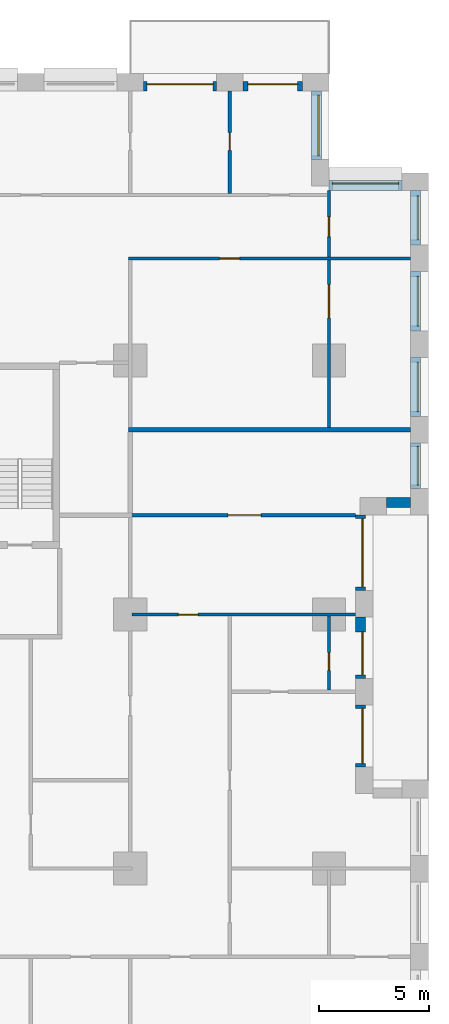
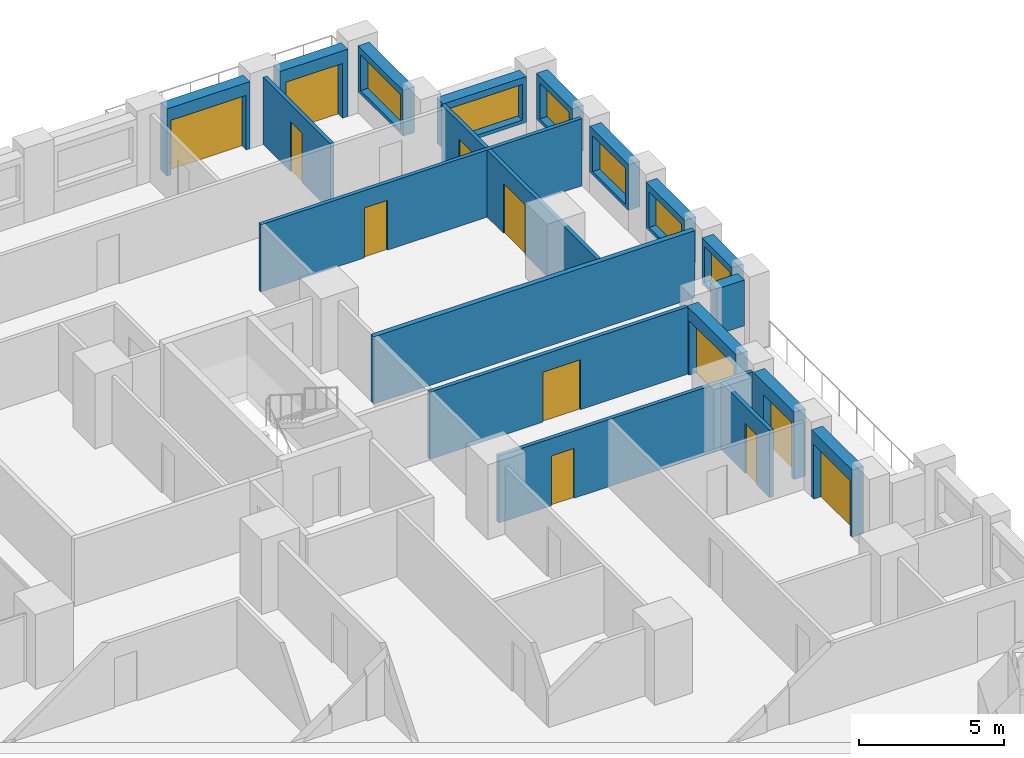
# One storey, part 17 of 20: 20 walls, 12 doors, 6 windows, 18 openings.
"""IFC4 building model written with IfcOpenShell, lengths in metres."""

from ifc_helpers import new_model, si_unit, direction, frame, frame_2d, origin, place, context, subcontext, project, spatial, rectangle, extrude, material, layer, layer_set, type_object, element, fill, save


model = new_model("IFC4")

# Units and contexts
model_context = context("Model", 3, precision=1e-05, world=origin(), true_north=direction((0.0, 1.0)))
body_context = subcontext(model_context, "Body", "Model", "MODEL_VIEW")
ifc_project = project(units=[si_unit("LENGTHUNIT", "METRE"), si_unit("AREAUNIT", "SQUARE_METRE"), si_unit("VOLUMEUNIT", "CUBIC_METRE"), si_unit("PLANEANGLEUNIT", "RADIAN"), si_unit("MASSUNIT", "GRAM", prefix="KILO")], contexts=[model_context])

# Site, building, storey
site_placement = place(None, origin())
site = spatial("IfcSite", under=ifc_project, at=site_placement, CompositionType="ELEMENT")
building_placement = place(site_placement, origin())
building = spatial("IfcBuilding", under=site, at=building_placement, Name="Brigalow Station Residences", CompositionType="ELEMENT")
storey_placement = place(building_placement, frame((0.0, 0.0, 66.75)))
storey = spatial("IfcBuildingStorey", under=building, at=storey_placement, Name="L19", CompositionType="ELEMENT", Elevation=66.75)

# Wall, opening, door
ifc_material_1 = material(Name="Clay brick masonry", Category="masonry")
ifc_layer_1 = layer(ifc_material_1, 0.449951171875)
ifc_layer_set_1 = layer_set([ifc_layer_1], Name="BRICK INFILL WALL 450")
wall_type_1 = type_object("IfcWallType", Name="BRICK INFILL WALL 450", PredefinedType="SOLIDWALL", material=ifc_layer_set_1)
wall_1_placement = place(storey_placement, frame((73.425048828125, 17.10009765625, 0.0), z_axis=(0.0, 0.0, 1.0), x_axis=(0.0, 1.0, 0.0)))
wall_1 = element("IfcWall", 1, at=wall_1_placement, inside=storey, type_object=wall_type_1, Name="L19/ewall/W-L19-15", PredefinedType="SOLIDWALL", context=body_context, shape_type="SweptSolid", body=[
    extrude(rectangle(XDim=2.7998046875, YDim=0.449951171875, at=frame_2d((1.39990234375, 0.0))), origin(), (0.0, 0.0, 1.0), 2.830078125),
])
opening_1_placement = place(wall_1_placement, frame((0.14990234375, 0.0, 0.0)))
opening_1 = element("IfcOpeningElement", 2, at=opening_1_placement, cuts=wall_1, Name="Opening D-B2500", PredefinedType="OPENING", context=body_context, shape_type="SweptSolid", body=[
    extrude(rectangle(XDim=2.5, YDim=2.300048828125, at=frame_2d((1.25, 1.14990234375))), frame((0.0, 0.23486328125, 0.0), z_axis=(0.0, -1.0, 0.0), x_axis=(1.0, 0.0, 0.0)), (0.0, 0.0, 1.0), 0.469970703125),
])
ifc_material_2 = material(Name="Anodised aluminium frame with double glazing", Category="aluminium")
door_type_1 = type_object("IfcDoorType", Name="BALCONY SLIDING DOOR 2500x2300", OperationType="SLIDING_TO_LEFT", PredefinedType="DOOR", material=ifc_material_2)
door_1_placement = place(opening_1_placement, origin())
door_1 = element("IfcDoor", 3, at=door_1_placement, inside=storey, type_object=door_type_1, Name="L19/balcony-door/W-L19-15", OperationType="SLIDING_TO_LEFT", OverallHeight=2.300048828125, OverallWidth=2.5, PredefinedType="DOOR", context=body_context, shape_type="SweptSolid", body=[
    extrude(rectangle(XDim=2.5, YDim=2.300048828125, at=frame_2d((1.25, 1.14990234375))), frame((0.0, -0.06982421875, 0.0), z_axis=(0.0, -1.0, 0.0), x_axis=(1.0, 0.0, 0.0)), (0.0, 0.0, 1.0), 0.050048828125),
])
fill(opening_1, door_1)

wall_2_placement = place(storey_placement, frame((73.425048828125, 21.10009765625, 0.0), z_axis=(0.0, 0.0, 1.0), x_axis=(0.0, 1.0, 0.0)))
wall_2 = element("IfcWall", 4, at=wall_2_placement, inside=storey, type_object=wall_type_1, Name="L19/ewall/W-L19-16", PredefinedType="SOLIDWALL", context=body_context, shape_type="SweptSolid", body=[
    extrude(rectangle(XDim=2.7998046875, YDim=0.449951171875, at=frame_2d((1.39990234375, 0.0))), origin(), (0.0, 0.0, 1.0), 2.830078125),
])
opening_2_placement = place(wall_2_placement, frame((0.1650390625, 0.0, 0.0)))
opening_2 = element("IfcOpeningElement", 5, at=opening_2_placement, cuts=wall_2, Name="Opening D-B1950", PredefinedType="OPENING", context=body_context, shape_type="SweptSolid", body=[
    extrude(rectangle(XDim=1.949951171875, YDim=2.300048828125, at=frame_2d((0.97509765625, 1.14990234375))), frame((0.0, 0.23486328125, 0.0), z_axis=(0.0, -1.0, 0.0), x_axis=(1.0, 0.0, 0.0)), (0.0, 0.0, 1.0), 0.469970703125),
])
ifc_material_3 = material(Name="Anodised aluminium frame with double glazing", Category="aluminium")
door_type_2 = type_object("IfcDoorType", Name="BALCONY SLIDING DOOR 1950x2300", OperationType="SLIDING_TO_LEFT", PredefinedType="DOOR", material=ifc_material_3)
door_2_placement = place(opening_2_placement, origin())
door_2 = element("IfcDoor", 6, at=door_2_placement, inside=storey, type_object=door_type_2, Name="L19/balcony-door/W-L19-16", OperationType="SLIDING_TO_LEFT", OverallHeight=2.300048828125, OverallWidth=1.949951171875, PredefinedType="DOOR", context=body_context, shape_type="SweptSolid", body=[
    extrude(rectangle(XDim=1.949951171875, YDim=2.300048828125, at=frame_2d((0.97509765625, 1.14990234375))), frame((0.0, -0.06982421875, 0.0), z_axis=(0.0, -1.0, 0.0), x_axis=(1.0, 0.0, 0.0)), (0.0, 0.0, 1.0), 0.050048828125),
])
fill(opening_2, door_2)

wall_3_placement = place(storey_placement, frame((73.425048828125, 25.10009765625, 0.0), z_axis=(0.0, 0.0, 1.0), x_axis=(0.0, 1.0, 0.0)))
wall_3 = element("IfcWall", 7, at=wall_3_placement, inside=storey, type_object=wall_type_1, Name="L19/ewall/W-L19-17", PredefinedType="SOLIDWALL", context=body_context, shape_type="SweptSolid", body=[
    extrude(rectangle(XDim=3.39990234375, YDim=0.449951171875, at=frame_2d((1.699951171875, 0.0))), origin(), (0.0, 0.0, 1.0), 2.830078125),
])
opening_3_placement = place(wall_3_placement, frame((0.14990234375, 0.0, 0.0)))
opening_3 = element("IfcOpeningElement", 8, at=opening_3_placement, cuts=wall_3, Name="Opening D-B3100", PredefinedType="OPENING", context=body_context, shape_type="SweptSolid", body=[
    extrude(rectangle(XDim=3.10009765625, YDim=2.300048828125, at=frame_2d((1.550048828125, 1.14990234375))), frame((0.0, 0.23486328125, 0.0), z_axis=(0.0, -1.0, 0.0), x_axis=(1.0, 0.0, 0.0)), (0.0, 0.0, 1.0), 0.469970703125),
])
ifc_material_4 = material(Name="Anodised aluminium frame with double glazing", Category="aluminium")
door_type_3 = type_object("IfcDoorType", Name="BALCONY SLIDING DOOR 3100x2300", OperationType="SLIDING_TO_LEFT", PredefinedType="DOOR", material=ifc_material_4)
door_3_placement = place(opening_3_placement, origin())
door_3 = element("IfcDoor", 9, at=door_3_placement, inside=storey, type_object=door_type_3, Name="L19/balcony-door/W-L19-17", OperationType="SLIDING_TO_LEFT", OverallHeight=2.300048828125, OverallWidth=3.10009765625, PredefinedType="DOOR", context=body_context, shape_type="SweptSolid", body=[
    extrude(rectangle(XDim=3.10009765625, YDim=2.300048828125, at=frame_2d((1.550048828125, 1.14990234375))), frame((0.0, -0.06982421875, 0.0), z_axis=(0.0, -1.0, 0.0), x_axis=(1.0, 0.0, 0.0)), (0.0, 0.0, 1.0), 0.050048828125),
])
fill(opening_3, door_3)

# Wall
wall_4_placement = place(storey_placement, frame((74.60009765625, 29.074951171875, 0.89990234375), z_axis=(0.0, 0.0, 1.0), x_axis=(1.0, 0.0, 0.0)))
element("IfcWall", 10, at=wall_4_placement, inside=storey, type_object=wall_type_1, Name="L19/ewall/W-L19-18", PredefinedType="SOLIDWALL", context=body_context, shape_type="SweptSolid", body=[
    extrude(rectangle(XDim=1.099853515625, YDim=0.449951171875, at=frame_2d((0.5498046875, 0.0))), origin(), (0.0, 0.0, 1.0), 1.93017578125),
])

# Wall, opening, window
wall_5_placement = place(storey_placement, frame((75.925048828125, 29.699951171875, 0.89990234375), z_axis=(0.0, 0.0, 1.0), x_axis=(0.0, 1.0, 0.0)))
wall_5 = element("IfcWall", 11, at=wall_5_placement, inside=storey, type_object=wall_type_1, Name="L19/ewall/W-L19-19", PredefinedType="SOLIDWALL", context=body_context, shape_type="SweptSolid", body=[
    extrude(rectangle(XDim=2.074951171875, YDim=0.449951171875, at=frame_2d((1.03759765625, 0.0))), origin(), (0.0, 0.0, 1.0), 1.93017578125),
])
opening_4_placement = place(wall_5_placement, frame((0.16259765625, 0.0, 0.14990234375)))
opening_4 = element("IfcOpeningElement", 12, at=opening_4_placement, cuts=wall_5, Name="Opening WT-4", PredefinedType="OPENING", context=body_context, shape_type="SweptSolid", body=[
    extrude(rectangle(XDim=1.75, YDim=1.5, at=frame_2d((0.875, 0.75))), frame((0.0, 0.23486328125, 0.0), z_axis=(0.0, -1.0, 0.0), x_axis=(1.0, 0.0, 0.0)), (0.0, 0.0, 1.0), 0.469970703125),
])
ifc_material_5 = material(Name="Anodised aluminium frame with double glazing", Category="aluminium")
window_type_1 = type_object("IfcWindowType", Name="WINDOW 1750x1500", PartitioningType="SINGLE_PANEL", PredefinedType="WINDOW", material=ifc_material_5)
window_1_placement = place(opening_4_placement, origin())
window_1 = element("IfcWindow", 13, at=window_1_placement, inside=storey, type_object=window_type_1, Name="L19/window/W-L19-19", OverallHeight=1.5, OverallWidth=1.75, PartitioningType="SINGLE_PANEL", PredefinedType="WINDOW", context=body_context, shape_type="SweptSolid", body=[
    extrude(rectangle(XDim=1.75, YDim=1.5, at=frame_2d((0.875, 0.75))), frame((0.0, -0.06494140625, 0.0), z_axis=(0.0, -1.0, 0.0), x_axis=(1.0, 0.0, 0.0)), (0.0, 0.0, 1.0), 0.06005859375),
])
fill(opening_4, window_1)

wall_6_placement = place(storey_placement, frame((75.925048828125, 32.97509765625, 0.89990234375), z_axis=(0.0, 0.0, 1.0), x_axis=(0.0, 1.0, 0.0)))
wall_6 = element("IfcWall", 14, at=wall_6_placement, inside=storey, type_object=wall_type_1, Name="L19/ewall/W-L19-20", PredefinedType="SOLIDWALL", context=body_context, shape_type="SweptSolid", body=[
    extrude(rectangle(XDim=2.6748046875, YDim=0.449951171875, at=frame_2d((1.33740234375, 0.0))), origin(), (0.0, 0.0, 1.0), 1.93017578125),
])
opening_5_placement = place(wall_6_placement, frame((0.21240234375, 0.0, 0.14990234375)))
opening_5 = element("IfcOpeningElement", 15, at=opening_5_placement, cuts=wall_6, Name="Opening WT-6", PredefinedType="OPENING", context=body_context, shape_type="SweptSolid", body=[
    extrude(rectangle(XDim=2.25, YDim=1.5, at=frame_2d((1.125, 0.75))), frame((0.0, 0.23486328125, 0.0), z_axis=(0.0, -1.0, 0.0), x_axis=(1.0, 0.0, 0.0)), (0.0, 0.0, 1.0), 0.469970703125),
])
ifc_material_6 = material(Name="Anodised aluminium frame with double glazing", Category="aluminium")
window_type_2 = type_object("IfcWindowType", Name="WINDOW 2250x1500", PartitioningType="SINGLE_PANEL", PredefinedType="WINDOW", material=ifc_material_6)
window_2_placement = place(opening_5_placement, origin())
window_2 = element("IfcWindow", 16, at=window_2_placement, inside=storey, type_object=window_type_2, Name="L19/window/W-L19-20", OverallHeight=1.5, OverallWidth=2.25, PartitioningType="SINGLE_PANEL", PredefinedType="WINDOW", context=body_context, shape_type="SweptSolid", body=[
    extrude(rectangle(XDim=2.25, YDim=1.5, at=frame_2d((1.125, 0.75))), frame((0.0, -0.06494140625, 0.0), z_axis=(0.0, -1.0, 0.0), x_axis=(1.0, 0.0, 0.0)), (0.0, 0.0, 1.0), 0.06005859375),
])
fill(opening_5, window_2)

wall_7_placement = place(storey_placement, frame((75.925048828125, 36.85009765625, 0.89990234375), z_axis=(0.0, 0.0, 1.0), x_axis=(0.0, 1.0, 0.0)))
wall_7 = element("IfcWall", 17, at=wall_7_placement, inside=storey, type_object=wall_type_1, Name="L19/ewall/W-L19-21", PredefinedType="SOLIDWALL", context=body_context, shape_type="SweptSolid", body=[
    extrude(rectangle(XDim=2.6748046875, YDim=0.449951171875, at=frame_2d((1.33740234375, 0.0))), origin(), (0.0, 0.0, 1.0), 1.93017578125),
])
opening_6_placement = place(wall_7_placement, frame((0.21240234375, 0.0, 0.14990234375)))
opening_6 = element("IfcOpeningElement", 18, at=opening_6_placement, cuts=wall_7, Name="Opening WT-6", PredefinedType="OPENING", context=body_context, shape_type="SweptSolid", body=[
    extrude(rectangle(XDim=2.25, YDim=1.5, at=frame_2d((1.125, 0.75))), frame((0.0, 0.23486328125, 0.0), z_axis=(0.0, -1.0, 0.0), x_axis=(1.0, 0.0, 0.0)), (0.0, 0.0, 1.0), 0.469970703125),
])
window_3_placement = place(opening_6_placement, origin())
window_3 = element("IfcWindow", 19, at=window_3_placement, inside=storey, type_object=window_type_2, Name="L19/window/W-L19-21", OverallHeight=1.5, OverallWidth=2.25, PartitioningType="SINGLE_PANEL", PredefinedType="WINDOW", context=body_context, shape_type="SweptSolid", body=[
    extrude(rectangle(XDim=2.25, YDim=1.5, at=frame_2d((1.125, 0.75))), frame((0.0, -0.06494140625, 0.0), z_axis=(0.0, -1.0, 0.0), x_axis=(1.0, 0.0, 0.0)), (0.0, 0.0, 1.0), 0.06005859375),
])
fill(opening_6, window_3)

wall_8_placement = place(storey_placement, frame((75.925048828125, 40.72509765625, 0.89990234375), z_axis=(0.0, 0.0, 1.0), x_axis=(0.0, 1.0, 0.0)))
wall_8 = element("IfcWall", 20, at=wall_8_placement, inside=storey, type_object=wall_type_1, Name="L19/ewall/W-L19-22", PredefinedType="SOLIDWALL", context=body_context, shape_type="SweptSolid", body=[
    extrude(rectangle(XDim=2.474853515625, YDim=0.449951171875, at=frame_2d((1.2373046875, 0.0))), origin(), (0.0, 0.0, 1.0), 1.93017578125),
])
opening_7_placement = place(wall_8_placement, frame((0.237548828125, 0.0, 0.14990234375)))
opening_7 = element("IfcOpeningElement", 21, at=opening_7_placement, cuts=wall_8, Name="Opening WT-7", PredefinedType="OPENING", context=body_context, shape_type="SweptSolid", body=[
    extrude(rectangle(XDim=2.0, YDim=1.5, at=frame_2d((1.0, 0.75))), frame((0.0, 0.23486328125, 0.0), z_axis=(0.0, -1.0, 0.0), x_axis=(1.0, 0.0, 0.0)), (0.0, 0.0, 1.0), 0.469970703125),
])
ifc_material_7 = material(Name="Anodised aluminium frame with double glazing", Category="aluminium")
window_type_3 = type_object("IfcWindowType", Name="WINDOW 2000x1500", PartitioningType="SINGLE_PANEL", PredefinedType="WINDOW", material=ifc_material_7)
window_4_placement = place(opening_7_placement, origin())
window_4 = element("IfcWindow", 22, at=window_4_placement, inside=storey, type_object=window_type_3, Name="L19/window/W-L19-22", OverallHeight=1.5, OverallWidth=2.0, PartitioningType="SINGLE_PANEL", PredefinedType="WINDOW", context=body_context, shape_type="SweptSolid", body=[
    extrude(rectangle(XDim=2.0, YDim=1.5, at=frame_2d((1.0, 0.75))), frame((0.0, -0.06494140625, 0.0), z_axis=(0.0, -1.0, 0.0), x_axis=(1.0, 0.0, 0.0)), (0.0, 0.0, 1.0), 0.06005859375),
])
fill(opening_7, window_4)

wall_9_placement = place(storey_placement, frame((75.300048828125, 43.425048828125, 0.89990234375), z_axis=(0.0, 0.0, 1.0), x_axis=(-1.0, 0.0, 0.0)))
wall_9 = element("IfcWall", 23, at=wall_9_placement, inside=storey, type_object=wall_type_1, Name="L19/ewall/W-L19-23", PredefinedType="SOLIDWALL", context=body_context, shape_type="SweptSolid", body=[
    extrude(rectangle(XDim=3.300048828125, YDim=0.449951171875, at=frame_2d((1.64990234375, 0.0))), origin(), (0.0, 0.0, 1.0), 1.93017578125),
])
opening_8_placement = place(wall_9_placement, frame((0.14990234375, 0.0, 0.14990234375)))
opening_8 = element("IfcOpeningElement", 24, at=opening_8_placement, cuts=wall_9, Name="Opening WT-2", PredefinedType="OPENING", context=body_context, shape_type="SweptSolid", body=[
    extrude(rectangle(XDim=3.0, YDim=1.5, at=frame_2d((1.5, 0.75))), frame((0.0, 0.23486328125, 0.0), z_axis=(0.0, -1.0, 0.0), x_axis=(1.0, 0.0, 0.0)), (0.0, 0.0, 1.0), 0.469970703125),
])
ifc_material_8 = material(Name="Anodised aluminium frame with double glazing", Category="aluminium")
window_type_4 = type_object("IfcWindowType", Name="WINDOW 3000x1500", PartitioningType="SINGLE_PANEL", PredefinedType="WINDOW", material=ifc_material_8)
window_5_placement = place(opening_8_placement, origin())
window_5 = element("IfcWindow", 25, at=window_5_placement, inside=storey, type_object=window_type_4, Name="L19/window/W-L19-23", OverallHeight=1.5, OverallWidth=3.0, PartitioningType="SINGLE_PANEL", PredefinedType="WINDOW", context=body_context, shape_type="SweptSolid", body=[
    extrude(rectangle(XDim=3.0, YDim=1.5, at=frame_2d((1.5, 0.75))), frame((0.0, -0.06494140625, 0.0), z_axis=(0.0, -1.0, 0.0), x_axis=(1.0, 0.0, 0.0)), (0.0, 0.0, 1.0), 0.06005859375),
])
fill(opening_8, window_5)

wall_10_placement = place(storey_placement, frame((71.425048828125, 44.60009765625, 0.89990234375), z_axis=(0.0, 0.0, 1.0), x_axis=(0.0, 1.0, 0.0)))
wall_10 = element("IfcWall", 26, at=wall_10_placement, inside=storey, type_object=wall_type_1, Name="L19/ewall/W-L19-24", PredefinedType="SOLIDWALL", context=body_context, shape_type="SweptSolid", body=[
    extrude(rectangle(XDim=3.099853515625, YDim=0.449951171875, at=frame_2d((1.5498046875, 0.0))), origin(), (0.0, 0.0, 1.0), 1.93017578125),
])
opening_9_placement = place(wall_10_placement, frame((0.175048828125, 0.0, 0.14990234375)))
opening_9 = element("IfcOpeningElement", 27, at=opening_9_placement, cuts=wall_10, Name="Opening WT-3", PredefinedType="OPENING", context=body_context, shape_type="SweptSolid", body=[
    extrude(rectangle(XDim=2.75, YDim=1.5, at=frame_2d((1.375, 0.75))), frame((0.0, 0.23486328125, 0.0), z_axis=(0.0, -1.0, 0.0), x_axis=(1.0, 0.0, 0.0)), (0.0, 0.0, 1.0), 0.469970703125),
])
ifc_material_9 = material(Name="Anodised aluminium frame with double glazing", Category="aluminium")
window_type_5 = type_object("IfcWindowType", Name="WINDOW 2750x1500", PartitioningType="SINGLE_PANEL", PredefinedType="WINDOW", material=ifc_material_9)
window_6_placement = place(opening_9_placement, origin())
window_6 = element("IfcWindow", 28, at=window_6_placement, inside=storey, type_object=window_type_5, Name="L19/window/W-L19-24", OverallHeight=1.5, OverallWidth=2.75, PartitioningType="SINGLE_PANEL", PredefinedType="WINDOW", context=body_context, shape_type="SweptSolid", body=[
    extrude(rectangle(XDim=2.75, YDim=1.5, at=frame_2d((1.375, 0.75))), frame((0.0, -0.06494140625, 0.0), z_axis=(0.0, -1.0, 0.0), x_axis=(1.0, 0.0, 0.0)), (0.0, 0.0, 1.0), 0.06005859375),
])
fill(opening_9, window_6)

# Wall, opening, door
wall_11_placement = place(storey_placement, frame((70.800048828125, 47.925048828125, 0.0), z_axis=(0.0, 0.0, 1.0), x_axis=(-1.0, 0.0, 0.0)))
wall_11 = element("IfcWall", 29, at=wall_11_placement, inside=storey, type_object=wall_type_1, Name="L19/ewall/W-L19-25", PredefinedType="SOLIDWALL", context=body_context, shape_type="SweptSolid", body=[
    extrude(rectangle(XDim=2.699951171875, YDim=0.449951171875, at=frame_2d((1.35009765625, 0.0))), origin(), (0.0, 0.0, 1.0), 2.830078125),
])
opening_10_placement = place(wall_11_placement, frame((0.22509765625, 0.0, 0.0)))
opening_10 = element("IfcOpeningElement", 30, at=opening_10_placement, cuts=wall_11, Name="Opening D-B2250", PredefinedType="OPENING", context=body_context, shape_type="SweptSolid", body=[
    extrude(rectangle(XDim=2.25, YDim=2.300048828125, at=frame_2d((1.125, 1.14990234375))), frame((0.0, 0.23486328125, 0.0), z_axis=(0.0, -1.0, 0.0), x_axis=(1.0, 0.0, 0.0)), (0.0, 0.0, 1.0), 0.469970703125),
])
ifc_material_10 = material(Name="Anodised aluminium frame with double glazing", Category="aluminium")
door_type_4 = type_object("IfcDoorType", Name="BALCONY SLIDING DOOR 2250x2300", OperationType="SLIDING_TO_LEFT", PredefinedType="DOOR", material=ifc_material_10)
door_4_placement = place(opening_10_placement, origin())
door_4 = element("IfcDoor", 31, at=door_4_placement, inside=storey, type_object=door_type_4, Name="L19/balcony-door/W-L19-25", OperationType="SLIDING_TO_LEFT", OverallHeight=2.300048828125, OverallWidth=2.25, PredefinedType="DOOR", context=body_context, shape_type="SweptSolid", body=[
    extrude(rectangle(XDim=2.25, YDim=2.300048828125, at=frame_2d((1.125, 1.14990234375))), frame((0.0, -0.06982421875, 0.0), z_axis=(0.0, -1.0, 0.0), x_axis=(1.0, 0.0, 0.0)), (0.0, 0.0, 1.0), 0.050048828125),
])
fill(opening_10, door_4)

wall_12_placement = place(storey_placement, frame((66.89990234375, 47.925048828125, 0.0), z_axis=(0.0, 0.0, 1.0), x_axis=(-1.0, 0.0, 0.0)))
wall_12 = element("IfcWall", 32, at=wall_12_placement, inside=storey, type_object=wall_type_1, Name="L19/ewall/W-L19-26", PredefinedType="SOLIDWALL", context=body_context, shape_type="SweptSolid", body=[
    extrude(rectangle(XDim=3.2998046875, YDim=0.449951171875, at=frame_2d((1.64990234375, 0.0))), origin(), (0.0, 0.0, 1.0), 2.830078125),
])
opening_11_placement = place(wall_12_placement, frame((0.14990234375, 0.0, 0.0)))
opening_11 = element("IfcOpeningElement", 33, at=opening_11_placement, cuts=wall_12, Name="Opening D-B3000", PredefinedType="OPENING", context=body_context, shape_type="SweptSolid", body=[
    extrude(rectangle(XDim=3.0, YDim=2.300048828125, at=frame_2d((1.5, 1.14990234375))), frame((0.0, 0.23486328125, 0.0), z_axis=(0.0, -1.0, 0.0), x_axis=(1.0, 0.0, 0.0)), (0.0, 0.0, 1.0), 0.469970703125),
])
ifc_material_11 = material(Name="Anodised aluminium frame with double glazing", Category="aluminium")
door_type_5 = type_object("IfcDoorType", Name="BALCONY SLIDING DOOR 3000x2300", OperationType="SLIDING_TO_LEFT", PredefinedType="DOOR", material=ifc_material_11)
door_5_placement = place(opening_11_placement, origin())
door_5 = element("IfcDoor", 34, at=door_5_placement, inside=storey, type_object=door_type_5, Name="L19/balcony-door/W-L19-26", OperationType="SLIDING_TO_LEFT", OverallHeight=2.300048828125, OverallWidth=3.0, PredefinedType="DOOR", context=body_context, shape_type="SweptSolid", body=[
    extrude(rectangle(XDim=3.0, YDim=2.300048828125, at=frame_2d((1.5, 1.14990234375))), frame((0.0, -0.06982421875, 0.0), z_axis=(0.0, -1.0, 0.0), x_axis=(1.0, 0.0, 0.0)), (0.0, 0.0, 1.0), 0.050048828125),
])
fill(opening_11, door_5)

ifc_material_12 = material(Name="Plasterboard on steel stud partition", Category="steel")
ifc_layer_2 = layer(ifc_material_12, 0.14990234375)
ifc_layer_set_2 = layer_set([ifc_layer_2], Name="FLAT PARTITION 150")
wall_type_2 = type_object("IfcWallType", Name="FLAT PARTITION 150", PredefinedType="PARTITIONING", material=ifc_layer_set_2)
wall_13_placement = place(storey_placement, frame((63.074951171875, 24.0, 0.0), z_axis=(0.0, 0.0, 1.0), x_axis=(1.0, 0.0, 0.0)))
wall_13 = element("IfcWall", 35, at=wall_13_placement, inside=storey, type_object=wall_type_2, Name="PW-1G03", PredefinedType="PARTITIONING", context=body_context, shape_type="SweptSolid", body=[
    extrude(rectangle(XDim=10.125, YDim=0.14990234375, at=frame_2d((5.0625, 0.0))), origin(), (0.0, 0.0, 1.0), 2.830078125),
])
opening_12_placement = place(wall_13_placement, frame((2.10009765625, 0.0, 0.0)))
opening_12 = element("IfcOpeningElement", 36, at=opening_12_placement, cuts=wall_13, Name="Opening D-1G55", PredefinedType="OPENING", context=body_context, shape_type="SweptSolid", body=[
    extrude(rectangle(XDim=0.89990234375, YDim=2.10009765625, at=frame_2d((0.449951171875, 1.050048828125))), frame((0.0, 0.0849609375, 0.0), z_axis=(0.0, -1.0, 0.0), x_axis=(1.0, 0.0, 0.0)), (0.0, 0.0, 1.0), 0.169921875),
])
ifc_material_13 = material(Name="Solid-core timber door leaf", Category="wood")
door_type_6 = type_object("IfcDoorType", Name="INTERNAL DOOR 900 x 2100", OperationType="SINGLE_SWING_LEFT", PredefinedType="DOOR", material=ifc_material_13)
door_6_placement = place(opening_12_placement, origin())
door_6 = element("IfcDoor", 37, at=door_6_placement, inside=storey, type_object=door_type_6, Name="D-1G55", OperationType="SINGLE_SWING_LEFT", OverallHeight=2.10009765625, OverallWidth=0.89990234375, PredefinedType="DOOR", context=body_context, shape_type="SweptSolid", body=[
    extrude(rectangle(XDim=0.89990234375, YDim=2.10009765625, at=frame_2d((0.449951171875, 1.050048828125))), frame((0.0, 0.02490234375, 0.0), z_axis=(0.0, -1.0, 0.0), x_axis=(1.0, 0.0, 0.0)), (0.0, 0.0, 1.0), 0.050048828125),
])
fill(opening_12, door_6)

wall_14_placement = place(storey_placement, frame((62.925048828125, 28.5, 0.0), z_axis=(0.0, 0.0, 1.0), x_axis=(1.0, 0.0, 0.0)))
wall_14 = element("IfcWall", 38, at=wall_14_placement, inside=storey, type_object=wall_type_2, Name="PW-1G22", PredefinedType="PARTITIONING", context=body_context, shape_type="SweptSolid", body=[
    extrude(rectangle(XDim=10.27490234375, YDim=0.14990234375, at=frame_2d((5.137451171875, 0.0))), origin(), (0.0, 0.0, 1.0), 2.830078125),
])
opening_13_placement = place(wall_14_placement, frame((4.5, 0.0, 0.0)))
opening_13 = element("IfcOpeningElement", 39, at=opening_13_placement, cuts=wall_14, Name="Opening D-1G54", PredefinedType="OPENING", context=body_context, shape_type="SweptSolid", body=[
    extrude(rectangle(XDim=1.5, YDim=2.10009765625, at=frame_2d((0.75, 1.050048828125))), frame((0.0, 0.0849609375, 0.0), z_axis=(0.0, -1.0, 0.0), x_axis=(1.0, 0.0, 0.0)), (0.0, 0.0, 1.0), 0.169921875),
])
ifc_material_14 = material(Name="Solid-core timber door leaf", Category="wood")
door_type_7 = type_object("IfcDoorType", Name="INTERNAL DOUBLE DOOR 1500 x 2100", OperationType="DOUBLE_DOOR_SINGLE_SWING", PredefinedType="DOOR", material=ifc_material_14)
door_7_placement = place(opening_13_placement, frame((1.5, 0.0, 0.0), z_axis=(0.0, 0.0, 1.0), x_axis=(-1.0, 0.0, 0.0)))
door_7 = element("IfcDoor", 40, at=door_7_placement, inside=storey, type_object=door_type_7, Name="D-1G54", OperationType="DOUBLE_DOOR_SINGLE_SWING", OverallHeight=2.10009765625, OverallWidth=1.5, PredefinedType="DOOR", context=body_context, shape_type="SweptSolid", body=[
    extrude(rectangle(XDim=1.5, YDim=2.10009765625, at=frame_2d((0.75, 1.050048828125))), frame((0.0, 0.02490234375, 0.0), z_axis=(0.0, -1.0, 0.0), x_axis=(1.0, 0.0, 0.0)), (0.0, 0.0, 1.0), 0.050048828125),
])
fill(opening_13, door_7)

wall_15_placement = place(storey_placement, frame((62.925048828125, 40.125, 0.0), z_axis=(0.0, 0.0, 1.0), x_axis=(1.0, 0.0, 0.0)))
wall_15 = element("IfcWall", 41, at=wall_15_placement, inside=storey, type_object=wall_type_2, Name="PW-1G25", PredefinedType="PARTITIONING", context=body_context, shape_type="SweptSolid", body=[
    extrude(rectangle(XDim=12.77490234375, YDim=0.14990234375, at=frame_2d((6.387451171875, 0.0))), origin(), (0.0, 0.0, 1.0), 2.830078125),
])
opening_14_placement = place(wall_15_placement, frame((4.125, 0.0, 0.0)))
opening_14 = element("IfcOpeningElement", 42, at=opening_14_placement, cuts=wall_15, Name="Opening D-1G45", PredefinedType="OPENING", context=body_context, shape_type="SweptSolid", body=[
    extrude(rectangle(XDim=0.89990234375, YDim=2.10009765625, at=frame_2d((0.449951171875, 1.050048828125))), frame((0.0, 0.0849609375, 0.0), z_axis=(0.0, -1.0, 0.0), x_axis=(1.0, 0.0, 0.0)), (0.0, 0.0, 1.0), 0.169921875),
])
door_8_placement = place(opening_14_placement, frame((0.89990234375, 0.0, 0.0), z_axis=(0.0, 0.0, 1.0), x_axis=(-1.0, 0.0, 0.0)))
door_8 = element("IfcDoor", 43, at=door_8_placement, inside=storey, type_object=door_type_6, Name="D-1G45", OperationType="SINGLE_SWING_RIGHT", OverallHeight=2.10009765625, OverallWidth=0.89990234375, PredefinedType="DOOR", context=body_context, shape_type="SweptSolid", body=[
    extrude(rectangle(XDim=0.89990234375, YDim=2.10009765625, at=frame_2d((0.449951171875, 1.050048828125))), frame((0.0, 0.02490234375, 0.0), z_axis=(0.0, -1.0, 0.0), x_axis=(1.0, 0.0, 0.0)), (0.0, 0.0, 1.0), 0.050048828125),
])
fill(opening_14, door_8)

wall_16_placement = place(storey_placement, frame((72.0, 20.574951171875, 0.0), z_axis=(0.0, 0.0, 1.0), x_axis=(0.0, 1.0, 0.0)))
wall_16 = element("IfcWall", 44, at=wall_16_placement, inside=storey, type_object=wall_type_2, Name="PW-1G73", PredefinedType="PARTITIONING", context=body_context, shape_type="SweptSolid", body=[
    extrude(rectangle(XDim=3.35009765625, YDim=0.14990234375, at=frame_2d((1.675048828125, 0.0))), origin(), (0.0, 0.0, 1.0), 2.830078125),
])
opening_15_placement = place(wall_16_placement, frame((0.89990234375, 0.0, 0.0)))
opening_15 = element("IfcOpeningElement", 45, at=opening_15_placement, cuts=wall_16, Name="Opening D-1G57", PredefinedType="OPENING", context=body_context, shape_type="SweptSolid", body=[
    extrude(rectangle(XDim=0.800048828125, YDim=2.10009765625, at=frame_2d((0.39990234375, 1.050048828125))), frame((0.0, 0.0849609375, 0.0), z_axis=(0.0, -1.0, 0.0), x_axis=(1.0, 0.0, 0.0)), (0.0, 0.0, 1.0), 0.169921875),
])
ifc_material_15 = material(Name="Solid-core timber door leaf", Category="wood")
door_type_8 = type_object("IfcDoorType", Name="INTERNAL DOOR 800 x 2100", OperationType="SINGLE_SWING_LEFT", PredefinedType="DOOR", material=ifc_material_15)
door_9_placement = place(opening_15_placement, frame((0.800048828125, 0.0, 0.0), z_axis=(0.0, 0.0, 1.0), x_axis=(-1.0, 0.0, 0.0)))
door_9 = element("IfcDoor", 46, at=door_9_placement, inside=storey, type_object=door_type_8, Name="D-1G57", OperationType="SINGLE_SWING_RIGHT", OverallHeight=2.10009765625, OverallWidth=0.800048828125, PredefinedType="DOOR", context=body_context, shape_type="SweptSolid", body=[
    extrude(rectangle(XDim=0.800048828125, YDim=2.10009765625, at=frame_2d((0.39990234375, 1.050048828125))), frame((0.0, 0.02490234375, 0.0), z_axis=(0.0, -1.0, 0.0), x_axis=(1.0, 0.0, 0.0)), (0.0, 0.0, 1.0), 0.050048828125),
])
fill(opening_15, door_9)

wall_17_placement = place(storey_placement, frame((72.0, 32.47509765625, 0.0), z_axis=(0.0, 0.0, 1.0), x_axis=(0.0, 1.0, 0.0)))
wall_17 = element("IfcWall", 47, at=wall_17_placement, inside=storey, type_object=wall_type_2, Name="PW-1G74", PredefinedType="PARTITIONING", context=body_context, shape_type="SweptSolid", body=[
    extrude(rectangle(XDim=7.574951171875, YDim=0.14990234375, at=frame_2d((3.78759765625, 0.0))), origin(), (0.0, 0.0, 1.0), 2.830078125),
])
opening_16_placement = place(wall_17_placement, frame((4.962890625, 0.0, 0.0)))
opening_16 = element("IfcOpeningElement", 48, at=opening_16_placement, cuts=wall_17, Name="Opening D-1G50", PredefinedType="OPENING", context=body_context, shape_type="SweptSolid", body=[
    extrude(rectangle(XDim=1.5, YDim=2.10009765625, at=frame_2d((0.75, 1.050048828125))), frame((0.0, 0.0849609375, 0.0), z_axis=(0.0, -1.0, 0.0), x_axis=(1.0, 0.0, 0.0)), (0.0, 0.0, 1.0), 0.169921875),
])
door_10_placement = place(opening_16_placement, frame((1.5, 0.0, 0.0), z_axis=(0.0, 0.0, 1.0), x_axis=(-1.0, 0.0, 0.0)))
door_10 = element("IfcDoor", 49, at=door_10_placement, inside=storey, type_object=door_type_7, Name="D-1G50", OperationType="DOUBLE_DOOR_SINGLE_SWING", OverallHeight=2.10009765625, OverallWidth=1.5, PredefinedType="DOOR", context=body_context, shape_type="SweptSolid", body=[
    extrude(rectangle(XDim=1.5, YDim=2.10009765625, at=frame_2d((0.75, 1.050048828125))), frame((0.0, 0.02490234375, 0.0), z_axis=(0.0, -1.0, 0.0), x_axis=(1.0, 0.0, 0.0)), (0.0, 0.0, 1.0), 0.050048828125),
])
fill(opening_16, door_10)

wall_18_placement = place(storey_placement, frame((72.0, 40.199951171875, 0.0), z_axis=(0.0, 0.0, 1.0), x_axis=(0.0, 1.0, 0.0)))
wall_18 = element("IfcWall", 50, at=wall_18_placement, inside=storey, type_object=wall_type_2, Name="PW-1G75", PredefinedType="PARTITIONING", context=body_context, shape_type="SweptSolid", body=[
    extrude(rectangle(XDim=3.0, YDim=0.14990234375, at=frame_2d((1.5, 0.0))), origin(), (0.0, 0.0, 1.0), 2.830078125),
])
opening_17_placement = place(wall_18_placement, frame((0.912109375, 0.0, 0.0)))
opening_17 = element("IfcOpeningElement", 51, at=opening_17_placement, cuts=wall_18, Name="Opening D-1G46", PredefinedType="OPENING", context=body_context, shape_type="SweptSolid", body=[
    extrude(rectangle(XDim=0.89990234375, YDim=2.10009765625, at=frame_2d((0.449951171875, 1.050048828125))), frame((0.0, 0.0849609375, 0.0), z_axis=(0.0, -1.0, 0.0), x_axis=(1.0, 0.0, 0.0)), (0.0, 0.0, 1.0), 0.169921875),
])
door_11_placement = place(opening_17_placement, frame((0.89990234375, 0.0, 0.0), z_axis=(0.0, 0.0, 1.0), x_axis=(-1.0, 0.0, 0.0)))
door_11 = element("IfcDoor", 52, at=door_11_placement, inside=storey, type_object=door_type_6, Name="D-1G46", OperationType="SINGLE_SWING_RIGHT", OverallHeight=2.10009765625, OverallWidth=0.89990234375, PredefinedType="DOOR", context=body_context, shape_type="SweptSolid", body=[
    extrude(rectangle(XDim=0.89990234375, YDim=2.10009765625, at=frame_2d((0.449951171875, 1.050048828125))), frame((0.0, 0.02490234375, 0.0), z_axis=(0.0, -1.0, 0.0), x_axis=(1.0, 0.0, 0.0)), (0.0, 0.0, 1.0), 0.050048828125),
])
fill(opening_17, door_11)

wall_19_placement = place(storey_placement, frame((67.5, 43.074951171875, 0.0), z_axis=(0.0, 0.0, 1.0), x_axis=(0.0, 1.0, 0.0)))
wall_19 = element("IfcWall", 53, at=wall_19_placement, inside=storey, type_object=wall_type_2, Name="PW-1G78", PredefinedType="PARTITIONING", context=body_context, shape_type="SweptSolid", body=[
    extrude(rectangle(XDim=4.625, YDim=0.14990234375, at=frame_2d((2.3125, 0.0))), origin(), (0.0, 0.0, 1.0), 2.830078125),
])
opening_18_placement = place(wall_19_placement, frame((1.949951171875, 0.0, 0.0)))
opening_18 = element("IfcOpeningElement", 54, at=opening_18_placement, cuts=wall_19, Name="Opening D-1G37", PredefinedType="OPENING", context=body_context, shape_type="SweptSolid", body=[
    extrude(rectangle(XDim=0.800048828125, YDim=2.10009765625, at=frame_2d((0.39990234375, 1.050048828125))), frame((0.0, 0.0849609375, 0.0), z_axis=(0.0, -1.0, 0.0), x_axis=(1.0, 0.0, 0.0)), (0.0, 0.0, 1.0), 0.169921875),
])
door_12_placement = place(opening_18_placement, origin())
door_12 = element("IfcDoor", 55, at=door_12_placement, inside=storey, type_object=door_type_8, Name="D-1G37", OperationType="SINGLE_SWING_RIGHT", OverallHeight=2.10009765625, OverallWidth=0.800048828125, PredefinedType="DOOR", context=body_context, shape_type="SweptSolid", body=[
    extrude(rectangle(XDim=0.800048828125, YDim=2.10009765625, at=frame_2d((0.39990234375, 1.050048828125))), frame((0.0, 0.02490234375, 0.0), z_axis=(0.0, -1.0, 0.0), x_axis=(1.0, 0.0, 0.0)), (0.0, 0.0, 1.0), 0.050048828125),
])
fill(opening_18, door_12)

# Wall
ifc_material_16 = material(Name="Plasterboard on steel stud partition", Category="steel")
ifc_layer_3 = layer(ifc_material_16, 0.199951171875)
ifc_layer_set_3 = layer_set([ifc_layer_3], Name="PARTY AND CORRIDOR WALL 200")
wall_type_3 = type_object("IfcWallType", Name="PARTY AND CORRIDOR WALL 200", PredefinedType="PARTITIONING", material=ifc_layer_set_3)
wall_20_placement = place(storey_placement, frame((62.925048828125, 32.375, 0.0), z_axis=(0.0, 0.0, 1.0), x_axis=(1.0, 0.0, 0.0)))
element("IfcWall", 56, at=wall_20_placement, inside=storey, type_object=wall_type_3, Name="PW-1G18", PredefinedType="PARTITIONING", context=body_context, shape_type="SweptSolid", body=[
    extrude(rectangle(XDim=12.77490234375, YDim=0.199951171875, at=frame_2d((6.387451171875, 0.0))), origin(), (0.0, 0.0, 1.0), 2.830078125),
])

save(model, "model.ifc")
